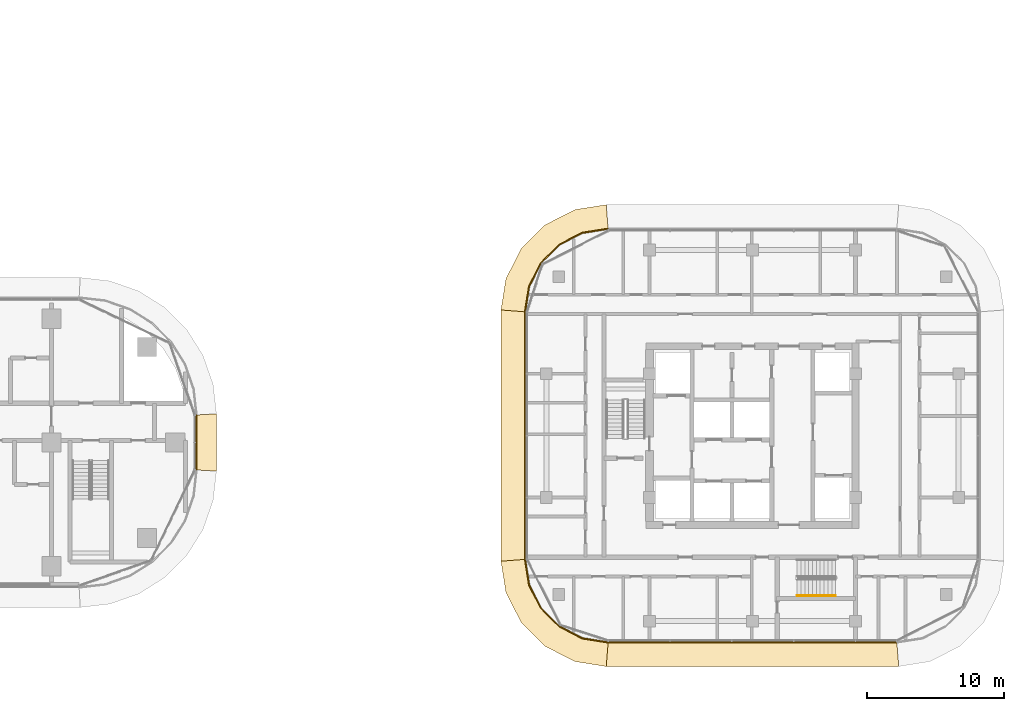
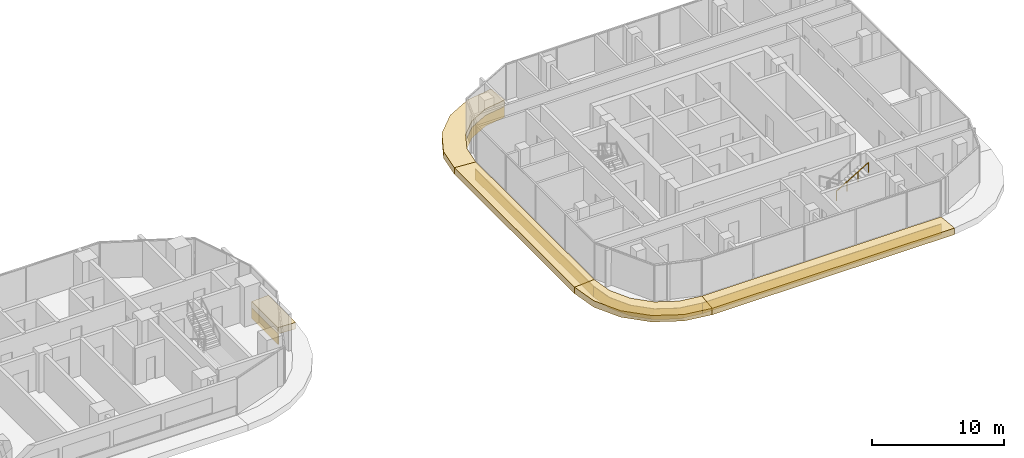
# One storey, part 34 of 36: 10 coverings, 1 railing.
"""IFC4 building model written with IfcOpenShell, lengths in metres."""

from ifc_helpers import new_model, si_unit, direction, frame, origin, origin_2d, place, context, subcontext, project, spatial, polyline, circle, outline, extrude, material, layer, layer_set, type_object, element, save


model = new_model("IFC4")

# Units and contexts
model_context = context("Model", 3, precision=1e-05, world=origin(), true_north=direction((0.0, 1.0)))
body_context = subcontext(model_context, "Body", "Model", "MODEL_VIEW")
ifc_project = project(units=[si_unit("LENGTHUNIT", "METRE"), si_unit("AREAUNIT", "SQUARE_METRE"), si_unit("VOLUMEUNIT", "CUBIC_METRE"), si_unit("PLANEANGLEUNIT", "RADIAN"), si_unit("MASSUNIT", "GRAM", prefix="KILO")], contexts=[model_context])

# Site, building, storey
site_placement = place(None, origin())
site = spatial("IfcSite", under=ifc_project, at=site_placement, CompositionType="ELEMENT")
building_placement = place(site_placement, origin())
building = spatial("IfcBuilding", under=site, at=building_placement, Name="Ogive Portal Towers", CompositionType="ELEMENT")
storey_placement = place(building_placement, frame((0.0, 0.0, 70.5)))
storey = spatial("IfcBuildingStorey", under=building, at=storey_placement, Name="L16", CompositionType="ELEMENT", Elevation=70.5)

# Railing
ifc_material_1 = material(Name="Stainless steel handrail", Category="steel")
railing_type = type_object("IfcRailingType", Name="INT-HANDRAIL", PredefinedType="HANDRAIL", material=ifc_material_1)
railing_placement = place(storey_placement, frame((139.75, 19.35009765625, 2.01806640625)))
element("IfcRailing", 1, at=railing_placement, inside=storey, type_object=railing_type, Name="L16 ST-B2 stair handrail 2", PredefinedType="HANDRAIL", context=body_context, shape_type="SweptSolid", body=[
    extrude(circle(Radius=0.02392578125, at=origin_2d()), frame((0.0, 0.0, 0.8759765625), z_axis=(0.857242210791, 0.0, 0.514913383045), x_axis=(0.0, 1.0, 0.0)), (0.0, 0.0, 1.0), 3.266357421875),
    extrude(circle(Radius=0.02099609375, at=origin_2d()), origin(), (0.0, 0.0, 1.0), 0.851806640625),
    extrude(circle(Radius=0.02099609375, at=origin_2d()), frame((0.933349609375, 0.0, 0.560546875)), (0.0, 0.0, 1.0), 0.851806640625),
    extrude(circle(Radius=0.02099609375, at=origin_2d()), frame((1.86669921875, 0.0, 1.121337890625)), (0.0, 0.0, 1.0), 0.851806640625),
    extrude(circle(Radius=0.02099609375, at=origin_2d()), frame((2.800048828125, 0.0, 1.681884765625)), (0.0, 0.0, 1.0), 0.851806640625),
])

# Coverings
ifc_material_2 = material(Name="Limestone cladding on lightweight block wall", Category="masonry")
ifc_layer_1 = layer(ifc_material_2, 0.080078125)
ifc_layer_set_1 = layer_set([ifc_layer_1], Name="STONE SPANDREL 80")
covering_type_1 = type_object("IfcCoveringType", Name="STONE SPANDREL 80", PredefinedType="CLADDING", material=ifc_layer_set_1)
covering_1_placement = place(storey_placement, frame((0.0, 0.0, -1.60009765625)))
element("IfcCovering", 2, at=covering_1_placement, inside=storey, type_object=covering_type_1, Name="Stone spandrel A1-F07", PredefinedType="CLADDING", context=body_context, shape_type="SweptSolid", body=[
    extrude(outline(polyline([(96.0, 28.5), (96.0, 32.5), (96.080078125, 32.50439453125), (96.080078125, 28.49560546875), (96.0, 28.5)])), origin(), (0.0, 0.0, 1.0), 1.0),
])
covering_2_placement = place(storey_placement, frame((0.0, 0.0, -1.60009765625)))
element("IfcCovering", 3, at=covering_2_placement, inside=storey, type_object=covering_type_1, Name="Stone spandrel B1-F01", PredefinedType="CLADDING", context=body_context, shape_type="SweptSolid", body=[
    extrude(outline(polyline([(120.0, 22.0), (120.293701171875, 20.14599609375), (121.14599609375, 18.473388671875), (122.473388671875, 17.14599609375), (124.14599609375, 16.293701171875), (126.0, 16.0), (125.99365234375, 15.919921875), (124.120849609375, 16.216552734375), (122.42578125, 17.080322265625), (121.080322265625, 18.42578125), (120.216552734375, 20.120849609375), (119.919921875, 21.99365234375), (120.0, 22.0)])), origin(), (0.0, 0.0, 1.0), 1.0),
])
covering_3_placement = place(storey_placement, frame((0.0, 0.0, -1.60009765625)))
element("IfcCovering", 4, at=covering_3_placement, inside=storey, type_object=covering_type_1, Name="Stone spandrel B1-F02", PredefinedType="CLADDING", context=body_context, shape_type="SweptSolid", body=[
    extrude(outline(polyline([(126.0, 16.0), (147.0, 16.0), (147.00634765625, 15.919921875), (125.99365234375, 15.919921875), (126.0, 16.0)])), origin(), (0.0, 0.0, 1.0), 1.0),
])
covering_4_placement = place(storey_placement, frame((0.0, 0.0, -1.60009765625)))
element("IfcCovering", 5, at=covering_4_placement, inside=storey, type_object=covering_type_1, Name="Stone spandrel B1-F07", PredefinedType="CLADDING", context=body_context, shape_type="SweptSolid", body=[
    extrude(outline(polyline([(126.0, 46.0), (124.14599609375, 45.706298828125), (122.473388671875, 44.85400390625), (121.14599609375, 43.526611328125), (120.293701171875, 41.85400390625), (120.0, 40.0), (119.919921875, 40.00634765625), (120.216552734375, 41.879150390625), (121.080322265625, 43.57421875), (122.42578125, 44.919677734375), (124.120849609375, 45.783447265625), (125.99365234375, 46.080078125), (126.0, 46.0)])), origin(), (0.0, 0.0, 1.0), 1.0),
])
covering_5_placement = place(storey_placement, frame((0.0, 0.0, -1.60009765625)))
element("IfcCovering", 6, at=covering_5_placement, inside=storey, type_object=covering_type_1, Name="Stone spandrel B1-F08", PredefinedType="CLADDING", context=body_context, shape_type="SweptSolid", body=[
    extrude(outline(polyline([(120.0, 40.0), (120.0, 22.0), (119.919921875, 21.99365234375), (119.919921875, 40.00634765625), (120.0, 40.0)])), origin(), (0.0, 0.0, 1.0), 1.0),
])
ifc_layer_2 = layer(ifc_material_2, 0.60009765625)
ifc_layer_set_2 = layer_set([ifc_layer_2], Name="SUNSHADE LIP 600")
covering_type_2 = type_object("IfcCoveringType", Name="SUNSHADE LIP 600", PredefinedType="CLADDING", material=ifc_layer_set_2)
covering_6_placement = place(storey_placement, frame((0.0, 0.0, -0.60009765625)))
element("IfcCovering", 7, at=covering_6_placement, inside=storey, type_object=covering_type_2, Name="Sunshade lip A1-F07", PredefinedType="CLADDING", context=body_context, shape_type="SweptSolid", body=[
    extrude(outline(polyline([(96.0, 28.5), (96.0, 32.5), (97.5, 32.584228515625), (97.5, 28.415771484375), (96.0, 28.5)])), origin(), (0.0, 0.0, 1.0), 0.60009765625),
])
covering_7_placement = place(storey_placement, frame((0.0, 0.0, -0.60009765625)))
element("IfcCovering", 8, at=covering_7_placement, inside=storey, type_object=covering_type_2, Name="Sunshade lip B1-F01", PredefinedType="CLADDING", context=body_context, shape_type="SweptSolid", body=[
    extrude(outline(polyline([(120.0, 22.0), (120.293701171875, 20.14599609375), (121.14599609375, 18.473388671875), (122.473388671875, 17.14599609375), (124.14599609375, 16.293701171875), (126.0, 16.0), (125.8583984375, 14.199951171875), (123.582763671875, 14.560302734375), (121.402099609375, 15.671630859375), (119.671630859375, 17.402099609375), (118.560302734375, 19.582763671875), (118.199951171875, 21.8583984375), (120.0, 22.0)])), origin(), (0.0, 0.0, 1.0), 0.60009765625),
])
covering_8_placement = place(storey_placement, frame((0.0, 0.0, -0.60009765625)))
element("IfcCovering", 9, at=covering_8_placement, inside=storey, type_object=covering_type_2, Name="Sunshade lip B1-F02", PredefinedType="CLADDING", context=body_context, shape_type="SweptSolid", body=[
    extrude(outline(polyline([(126.0, 16.0), (147.0, 16.0), (147.1416015625, 14.199951171875), (125.8583984375, 14.199951171875), (126.0, 16.0)])), origin(), (0.0, 0.0, 1.0), 0.60009765625),
])
covering_9_placement = place(storey_placement, frame((0.0, 0.0, -0.60009765625)))
element("IfcCovering", 10, at=covering_9_placement, inside=storey, type_object=covering_type_2, Name="Sunshade lip B1-F07", PredefinedType="CLADDING", context=body_context, shape_type="SweptSolid", body=[
    extrude(outline(polyline([(126.0, 46.0), (124.14599609375, 45.706298828125), (122.473388671875, 44.85400390625), (121.14599609375, 43.526611328125), (120.293701171875, 41.85400390625), (120.0, 40.0), (118.199951171875, 40.1416015625), (118.560302734375, 42.417236328125), (119.671630859375, 44.597900390625), (121.402099609375, 46.328369140625), (123.582763671875, 47.439697265625), (125.8583984375, 47.800048828125), (126.0, 46.0)])), origin(), (0.0, 0.0, 1.0), 0.60009765625),
])
covering_10_placement = place(storey_placement, frame((0.0, 0.0, -0.60009765625)))
element("IfcCovering", 11, at=covering_10_placement, inside=storey, type_object=covering_type_2, Name="Sunshade lip B1-F08", PredefinedType="CLADDING", context=body_context, shape_type="SweptSolid", body=[
    extrude(outline(polyline([(120.0, 40.0), (120.0, 22.0), (118.199951171875, 21.8583984375), (118.199951171875, 40.1416015625), (120.0, 40.0)])), origin(), (0.0, 0.0, 1.0), 0.60009765625),
])

save(model, "model.ifc")
